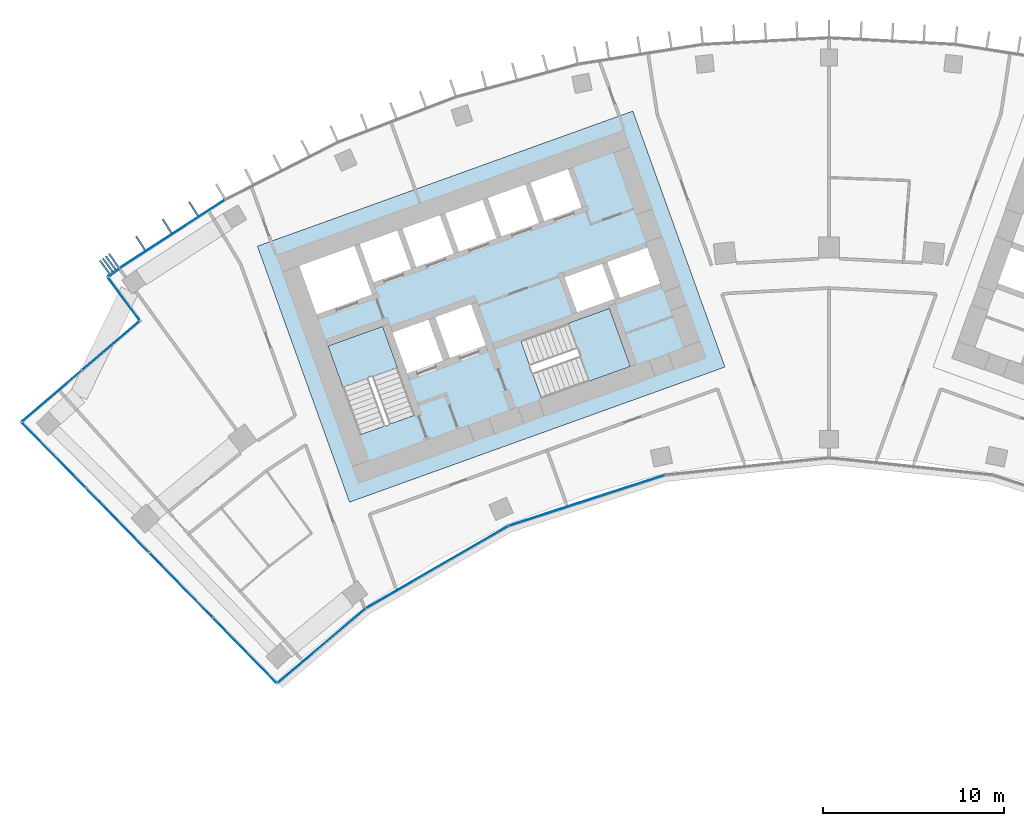
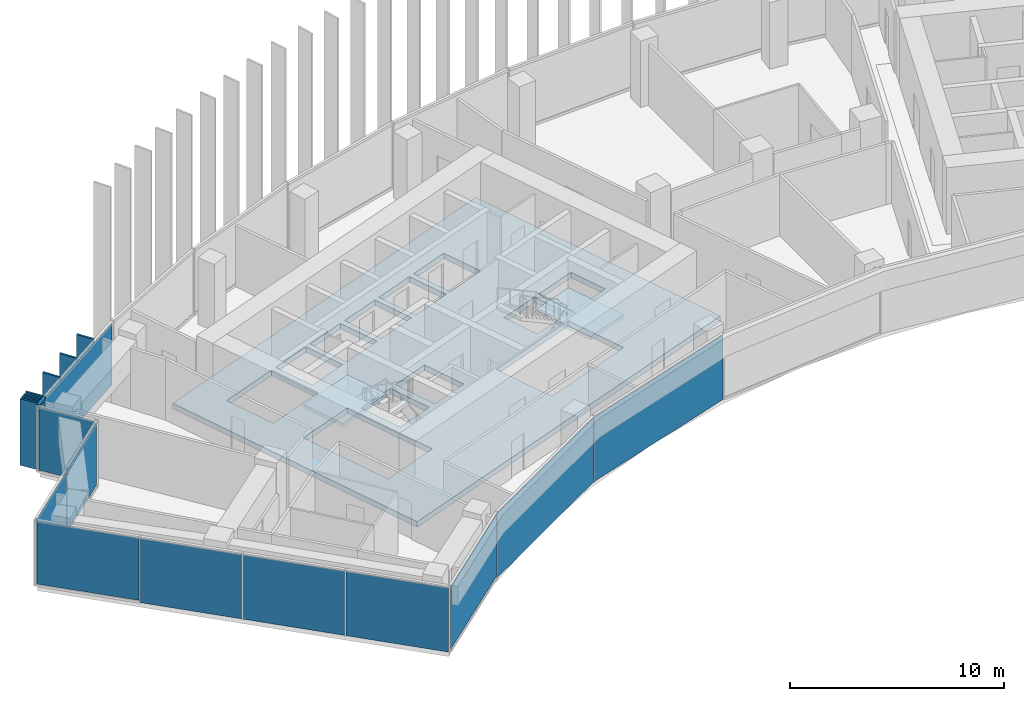
# One storey, part 11 of 19: 19 plates, 3 slabs, 2 members, 7 elements without a shape of their own.
"""IFC4 building model written with IfcOpenShell, lengths in metres."""

import ifcopenshell
import ifcopenshell.guid

model = None  # the IFC model being written
_history = None  # IfcOwnerHistory: only IFC2X3 demands one
_inside = {}  # id of a spatial element -> (the spatial element, [elements in it])
_under = {}  # id of a project, library or spatial element -> (it, [spatial elements below it])
_declared = {}  # id of a project -> (the project, [libraries it declares])
_typed = {}  # id of a type object -> (the type object, [elements of that type])
_made_of = {}  # id of a material, layer set ... -> (it, [elements and type objects made of it])


def new_model(schema):
    """Start an empty IFC model of exactly this schema.

    Asked for "IFC4X3", IfcOpenShell would pick the latest addendum, in which some entities
    have other attributes; the version numbers below select the first issue.
    IFC2X3 requires an IfcOwnerHistory on every rooted entity: one is made here for all.
    """
    global model, _history
    if schema == "IFC4X3":
        model = ifcopenshell.file(schema_version=(4, 3, 0, 0))
    else:
        model = ifcopenshell.file(schema=schema)
    _inside.clear()
    _under.clear()
    _declared.clear()
    _typed.clear()
    _made_of.clear()
    _history = None
    if model.schema == "IFC2X3":
        org = make("IfcOrganization", Name="unknown")
        user = make(
            "IfcPersonAndOrganization",
            ThePerson=make("IfcPerson", FamilyName="unknown"),
            TheOrganization=org,
        )
        app = make(
            "IfcApplication",
            ApplicationDeveloper=org,
            Version="unknown",
            ApplicationFullName="unknown",
            ApplicationIdentifier="unknown",
        )
        _history = make(
            "IfcOwnerHistory",
            OwningUser=user,
            OwningApplication=app,
            ChangeAction="ADDED",
            CreationDate=0,
        )
    return model


def make(cls, **values):
    """One entity of the class cls with the attributes given. An attribute that is None is left unset."""
    return model.create_entity(
        cls, **{name: value for name, value in values.items() if value is not None}
    )


def rooted(cls, **values):
    """An entity with a GlobalId (a new one), such as an element, a storey or a relation."""
    return make(cls, GlobalId=ifcopenshell.guid.new(), OwnerHistory=_history, **values)


def si_unit(unit_type, name, prefix=None):
    """IfcSIUnit, for example si_unit("LENGTHUNIT", "METRE", prefix="MILLI")."""
    return make("IfcSIUnit", UnitType=unit_type, Prefix=prefix, Name=name)


def assignment(units):
    """IfcUnitAssignment: the units of a project."""
    return None if units is None else make("IfcUnitAssignment", Units=units)


def point(xyz):
    """IfcCartesianPoint."""
    return None if xyz is None else make("IfcCartesianPoint", Coordinates=xyz)


def direction(xyz):
    """IfcDirection."""
    return None if xyz is None else make("IfcDirection", DirectionRatios=xyz)


def frame(location, z_axis=None, x_axis=None):
    """IfcAxis2Placement3D, a coordinate frame: its origin and axes. An axis left out is left unset."""
    return make(
        "IfcAxis2Placement3D",
        Location=point(location),
        Axis=direction(z_axis),
        RefDirection=direction(x_axis),
    )


def frame_2d(location, x_axis=None):
    """IfcAxis2Placement2D, a coordinate frame in the plane: its origin and x axis."""
    return make(
        "IfcAxis2Placement2D", Location=point(location), RefDirection=direction(x_axis)
    )


def origin():
    """The frame at (0, 0, 0) with its axes left unset."""
    return frame((0.0, 0.0, 0.0))


def origin_2d():
    """The frame at (0, 0) in the plane with its x axis left unset."""
    return frame_2d((0.0, 0.0))


def place(relative_to, where):
    """IfcLocalPlacement: puts the frame where relative to a parent placement (None: the world)."""
    return make(
        "IfcLocalPlacement", PlacementRelTo=relative_to, RelativePlacement=where
    )


def context(
    kind, dimensions, precision=None, world=None, true_north=None, identifier=None
):
    """IfcGeometricRepresentationContext, for example the 3D "Model" context."""
    return make(
        "IfcGeometricRepresentationContext",
        ContextIdentifier=identifier,
        ContextType=kind,
        CoordinateSpaceDimension=dimensions,
        Precision=precision,
        WorldCoordinateSystem=world,
        TrueNorth=true_north,
    )


def subcontext(parent, identifier, kind, view, scale=None):
    """IfcGeometricRepresentationSubContext, for example "Body" below "Model"."""
    return make(
        "IfcGeometricRepresentationSubContext",
        ContextIdentifier=identifier,
        ContextType=kind,
        ParentContext=parent,
        TargetScale=scale,
        TargetView=view,
    )


def project(units=None, contexts=None):
    """IfcProject with its units and contexts."""
    return rooted(
        "IfcProject",
        Name="project",
        RepresentationContexts=contexts,
        UnitsInContext=assignment(units),
    )


def spatial(cls, under=None, at=None, **own):
    """A site, building, storey or space (cls), placed at a placement, below another one or the project."""
    s = rooted(cls, ObjectPlacement=at, **own)
    if under is not None:
        _under.setdefault(under.id(), (under, []))[1].append(s)
    return s


def polyline(points):
    """IfcPolyline through the points."""
    return make("IfcPolyline", Points=[point(p) for p in points])


def profile(cls, at=None, kind="AREA", **sizes):
    """A parametric profile (cls). Its sizes go by their IFC names, for example OverallWidth=200.0."""
    return make(cls, ProfileType=kind, Position=at, **sizes)


def rectangle(**sizes):
    """IfcRectangleProfileDef."""
    return profile("IfcRectangleProfileDef", **sizes)


def outline(outer, holes=None, kind="AREA"):
    """IfcArbitraryClosedProfileDef: a profile drawn as a closed curve; with holes, ...WithVoids."""
    if holes is None:
        return make("IfcArbitraryClosedProfileDef", ProfileType=kind, OuterCurve=outer)
    return make(
        "IfcArbitraryProfileDefWithVoids",
        ProfileType=kind,
        OuterCurve=outer,
        InnerCurves=holes,
    )


def extrude(swept, where, along, depth):
    """IfcExtrudedAreaSolid: the profile swept, set in the frame where, extruded along a direction by depth."""
    return make(
        "IfcExtrudedAreaSolid",
        SweptArea=swept,
        Position=where,
        ExtrudedDirection=direction(along),
        Depth=depth,
    )


def shape(context_of_items, identifier, shape_type, items):
    """IfcShapeRepresentation: the items that make up one representation, for example the "Body"."""
    return make(
        "IfcShapeRepresentation",
        ContextOfItems=context_of_items,
        RepresentationIdentifier=identifier,
        RepresentationType=shape_type,
        Items=items,
    )


def material(Name=None, Category=None):
    """IfcMaterial."""
    return make("IfcMaterial", Name=Name, Category=Category)


def layer(
    of_material, thickness, ventilated=None, Name=None, Category=None, Priority=None
):
    """IfcMaterialLayer: one layer of a wall or slab, of a material (None: an air gap)."""
    return make(
        "IfcMaterialLayer",
        Material=of_material,
        LayerThickness=thickness,
        IsVentilated=ventilated,
        Name=Name,
        Category=Category,
        Priority=Priority,
    )


def layer_set(layers, Name=None):
    """IfcMaterialLayerSet."""
    return make("IfcMaterialLayerSet", MaterialLayers=layers, LayerSetName=Name)


def material_profile(
    of_material, cross_section, Name=None, Category=None, Priority=None
):
    """IfcMaterialProfile: a cross section and its material."""
    return make(
        "IfcMaterialProfile",
        Name=Name,
        Material=of_material,
        Profile=cross_section,
        Priority=Priority,
        Category=Category,
    )


def profile_set(profiles, Name=None, composite=None):
    """IfcMaterialProfileSet."""
    return make(
        "IfcMaterialProfileSet",
        Name=Name,
        MaterialProfiles=profiles,
        CompositeProfile=composite,
    )


def made_of(thing, what):
    """Note that an element or type object is made of a material, layer set ...; save() writes the relation."""
    if what is not None:
        _made_of.setdefault(what.id(), (what, []))[1].append(thing)
    return thing


def type_object(cls, material=None, **own):
    """A type object (cls), such as IfcWallType, which elements share."""
    return made_of(rooted(cls, **own), material)


def element(
    cls,
    number,
    at=None,
    inside=None,
    cuts=None,
    type_object=None,
    material=None,
    context=None,
    identifier="Body",
    shape_type=None,
    held_by="IfcProductDefinitionShape",
    body=None,
    shapes=None,
    **own,
):
    """One element of the class cls, such as IfcWall. Its Tag is "e" and its number.

    at: its placement. inside: the storey or other place that contains it. cuts: it is an
    opening in that element (IfcRelVoidsElement). A single representation is given by context,
    identifier, shape_type and body (its items); several are given by shapes. held_by: the class
    of the entity that holds the representations. save() writes the other relations.
    """
    e = rooted(cls, Tag="e%d" % number, ObjectPlacement=at, **own)
    if body is not None:
        shapes = [shape(context, identifier, shape_type, body)]
    if shapes is not None:
        e.Representation = make(held_by, Representations=shapes)
    if inside is not None:
        _inside.setdefault(inside.id(), (inside, []))[1].append(e)
    if cuts is not None:
        rooted(
            "IfcRelVoidsElement", RelatingBuildingElement=cuts, RelatedOpeningElement=e
        )
    if type_object is not None:
        _typed.setdefault(type_object.id(), (type_object, []))[1].append(e)
    return made_of(e, material)


def aggregate(whole, parts):
    """IfcRelAggregates: a whole, such as a stair, and the parts it consists of."""
    return rooted("IfcRelAggregates", RelatingObject=whole, RelatedObjects=parts)


def save(model, path):
    """Write the relations noted so far, then the file.

    IfcRelAggregates (storeys below a building ...), IfcRelContainedInSpatialStructure (elements
    in a storey), IfcRelDefinesByType, IfcRelAssociatesMaterial and IfcRelDeclares: one each for
    every whole, place, type object, material and project.
    """
    for whole, parts in _under.values():
        aggregate(whole, parts)
    for where, things in _inside.values():
        rooted(
            "IfcRelContainedInSpatialStructure",
            RelatedElements=things,
            RelatingStructure=where,
        )
    for kind, things in _typed.values():
        rooted("IfcRelDefinesByType", RelatedObjects=things, RelatingType=kind)
    for what, things in _made_of.values():
        rooted("IfcRelAssociatesMaterial", RelatedObjects=things, RelatingMaterial=what)
    for by, libraries in _declared.values():
        rooted("IfcRelDeclares", RelatingContext=by, RelatedDefinitions=libraries)
    model.write(path)


model = new_model("IFC4")

# Units and contexts
model_context = context("Model", 3, precision=1e-05, world=origin(), true_north=direction((0.0, 1.0)))
body_context = subcontext(model_context, "Body", "Model", "MODEL_VIEW")
ifc_project = project(units=[si_unit("LENGTHUNIT", "METRE"), si_unit("AREAUNIT", "SQUARE_METRE"), si_unit("VOLUMEUNIT", "CUBIC_METRE"), si_unit("PLANEANGLEUNIT", "RADIAN"), si_unit("MASSUNIT", "GRAM", prefix="KILO")], contexts=[model_context])

# Site, building, storey
site_placement = place(None, origin())
site = spatial("IfcSite", under=ifc_project, at=site_placement, CompositionType="ELEMENT")
building_placement = place(site_placement, origin())
building = spatial("IfcBuilding", under=site, at=building_placement, Name="Stone Belt Terrace Tower", CompositionType="ELEMENT")
storey_placement = place(building_placement, frame((0.0, 0.0, 223.800048828125)))
storey = spatial("IfcBuildingStorey", under=building, at=storey_placement, Name="L54", CompositionType="ELEMENT", Elevation=223.800048828125)

# Curtain wall, members, plates
ifc_material_1 = material(Name="Aluminium 6063-T6 anodised frame", Category="aluminium")
ifc_layer_1 = layer(ifc_material_1, 0.14990234375)
ifc_layer_set_1 = layer_set([ifc_layer_1], Name="CW-A unitised convex-face curtain wall")
curtain_wall_type_1 = type_object("IfcCurtainWallType", Name="CW-A unitised convex-face curtain wall", PredefinedType="NOTDEFINED", material=ifc_layer_set_1)
curtain_wall_1_placement = place(storey_placement, origin())
curtain_wall_1 = element("IfcCurtainWall", 1, at=curtain_wall_1_placement, inside=storey, type_object=curtain_wall_type_1, Name="CW-A convex face L54", PredefinedType="NOTDEFINED")
ifc_material_profile = material_profile(ifc_material_1, rectangle(XDim=0.14990234375, YDim=0.139892578125, at=origin_2d()), Name="Aluminium 6063-T6 150x140")
ifc_profile_set = profile_set([ifc_material_profile], Name="Aluminium 6063-T6 anodised frame")
member_type = type_object("IfcMemberType", Name="CW-A transom 140 x 150", PredefinedType="USERDEFINED", material=ifc_profile_set)
member_1_placement = place(storey_placement, frame((-39.15625, 53.84228515625, 0.070068359375), z_axis=(-0.805902328942, -0.592048508321, 0.0), x_axis=(0.592048508321, -0.805902328942, 0.0)))
member_1 = element("IfcMember", 2, at=member_1_placement, type_object=member_type, Name="CW-A transom 15.1", ObjectType="TRANSOM", PredefinedType="USERDEFINED", context=body_context, shape_type="SweptSolid", body=[
    extrude(rectangle(XDim=0.14990234375, YDim=0.139892578125, at=origin_2d()), origin(), (0.0, 0.0, 1.0), 0.6953125),
])
member_2_placement = place(storey_placement, frame((-39.15625, 53.84228515625, 3.72998046875), z_axis=(-0.805902328942, -0.592048508321, 0.0), x_axis=(0.592048508321, -0.805902328942, 0.0)))
member_2 = element("IfcMember", 3, at=member_2_placement, type_object=member_type, Name="CW-A transom 15.2", ObjectType="TRANSOM", PredefinedType="USERDEFINED", context=body_context, shape_type="SweptSolid", body=[
    extrude(rectangle(XDim=0.14990234375, YDim=0.139892578125, at=origin_2d()), origin(), (0.0, 0.0, 1.0), 0.6953125),
])
ifc_material_2 = material(Name="Clear double glazed unit")
ifc_layer_2 = layer(ifc_material_2, 0.031982421875)
ifc_layer_set_2 = layer_set([ifc_layer_2], Name="CW-A glass panel 32")
plate_type_1 = type_object("IfcPlateType", Name="CW-A glass panel 32", PredefinedType="CURTAIN_PANEL", material=ifc_layer_set_2)
plate_1_placement = place(storey_placement, frame((-36.209716796875, 55.758056640625, 0.139892578125), z_axis=(0.0, 0.0, 1.0), x_axis=(-0.838670567945, -0.544639035015, 0.0)))
plate_1 = element("IfcPlate", 4, at=plate_1_placement, type_object=plate_type_1, Name="CW-A panel 14.1", PredefinedType="CURTAIN_PANEL", context=body_context, shape_type="SweptSolid", body=[
    extrude(rectangle(XDim=6.900634765625, YDim=0.031982421875, at=origin_2d()), origin(), (0.0, 0.0, 1.0), 3.52001953125),
])
plate_2_placement = place(storey_placement, frame((-39.436279296875, 53.636474609375, 0.139892578125), z_axis=(0.0, 0.0, 1.0), x_axis=(-0.805804947695, -0.592181041802, 0.0)))
plate_2 = element("IfcPlate", 5, at=plate_2_placement, type_object=plate_type_1, Name="CW-A panel 15.1", PredefinedType="CURTAIN_PANEL", context=body_context, shape_type="SweptSolid", body=[
    extrude(rectangle(XDim=0.695068359375, YDim=0.031982421875, at=origin_2d()), origin(), (0.0, 0.0, 1.0), 3.52001953125),
])
aggregate(curtain_wall_1, [plate_1, member_1, member_2, plate_2])

# Curtain wall, plates
ifc_layer_3 = layer(ifc_material_1, 0.14990234375)
ifc_layer_set_3 = layer_set([ifc_layer_3], Name="CW-B unitised concave-face curtain wall")
curtain_wall_type_2 = type_object("IfcCurtainWallType", Name="CW-B unitised concave-face curtain wall", PredefinedType="NOTDEFINED", material=ifc_layer_set_3)
curtain_wall_2_placement = place(storey_placement, origin())
curtain_wall_2 = element("IfcCurtainWall", 6, at=curtain_wall_2_placement, inside=storey, type_object=curtain_wall_type_2, Name="CW-B concave face L54", PredefinedType="NOTDEFINED")
ifc_layer_4 = layer(ifc_material_2, 0.030029296875)
ifc_layer_set_4 = layer_set([ifc_layer_4], Name="CW-B glass panel 30")
plate_type_2 = type_object("IfcPlateType", Name="CW-B glass panel 30", PredefinedType="CURTAIN_PANEL", material=ifc_layer_set_4)
plate_3_placement = place(storey_placement, frame((-27.96240234375, 33.072021484375, 0.119873046875), z_axis=(0.0, 0.0, 1.0), x_axis=(0.763918888428, 0.645312274719, 0.0)))
plate_3 = element("IfcPlate", 7, at=plate_3_placement, type_object=plate_type_2, Name="CW-B panel 1.1", PredefinedType="CURTAIN_PANEL", context=body_context, shape_type="SweptSolid", body=[
    extrude(rectangle(XDim=6.3173828125, YDim=0.030029296875, at=origin_2d()), origin(), (0.0, 0.0, 1.0), 3.56005859375),
])
plate_4_placement = place(storey_placement, frame((-21.594482421875, 37.400146484375, 0.0), z_axis=(0.0, 0.0, 1.0), x_axis=(0.866025403784, 0.5, 0.0)))
plate_4 = element("IfcPlate", 8, at=plate_4_placement, type_object=plate_type_2, Name="CW-B panel 2.1", PredefinedType="CURTAIN_PANEL", context=body_context, shape_type="SweptSolid", body=[
    extrude(rectangle(XDim=9.01513671875, YDim=0.030029296875, at=origin_2d()), origin(), (0.0, 0.0, 1.0), 3.679931640625),
])
plate_5_placement = place(storey_placement, frame((-13.345458984375, 41.072998046875, 0.0), z_axis=(0.0, 0.0, 1.0), x_axis=(0.951056516295, 0.309016994375, 0.0)))
plate_5 = element("IfcPlate", 9, at=plate_5_placement, type_object=plate_type_2, Name="CW-B panel 3.1", PredefinedType="CURTAIN_PANEL", context=body_context, shape_type="SweptSolid", body=[
    extrude(rectangle(XDim=9.0126953125, YDim=0.030029296875, at=origin_2d()), origin(), (0.0, 0.0, 1.0), 3.679931640625),
])
aggregate(curtain_wall_2, [plate_3, plate_4, plate_5])

# Curtain wall, plate
ifc_layer_5 = layer(ifc_material_1, 0.14990234375)
ifc_layer_set_5 = layer_set([ifc_layer_5], Name="CW-C stick curtain wall, horn ends and notches")
curtain_wall_type_3 = type_object("IfcCurtainWallType", Name="CW-C stick curtain wall, horn ends and notches", PredefinedType="NOTDEFINED", material=ifc_layer_set_5)
curtain_wall_3_placement = place(storey_placement, origin())
curtain_wall_3 = element("IfcCurtainWall", 10, at=curtain_wall_3_placement, inside=storey, type_object=curtain_wall_type_3, Name="CW-C notch face L54", PredefinedType="NOTDEFINED")
ifc_layer_6 = layer(ifc_material_2, 0.028076171875)
ifc_layer_set_6 = layer_set([ifc_layer_6], Name="CW-C glass panel 28")
plate_type_3 = type_object("IfcPlateType", Name="CW-C glass panel 28", PredefinedType="CURTAIN_PANEL", material=ifc_layer_set_6)
plate_6_placement = place(storey_placement, frame((-38.879638671875, 52.18017578125, 0.119873046875), z_axis=(0.0, 0.0, 1.0), x_axis=(0.596559278942, -0.802569016788, 0.0)))
plate_6 = element("IfcPlate", 11, at=plate_6_placement, type_object=plate_type_3, Name="CW-C panel 1.1", PredefinedType="CURTAIN_PANEL", context=body_context, shape_type="SweptSolid", body=[
    extrude(rectangle(XDim=2.85791015625, YDim=0.028076171875, at=origin_2d()), origin(), (0.0, 0.0, 1.0), 3.56005859375),
])
aggregate(curtain_wall_3, [plate_6])

# Curtain wall, plates
curtain_wall_4_placement = place(storey_placement, origin())
curtain_wall_4 = element("IfcCurtainWall", 12, at=curtain_wall_4_placement, inside=storey, type_object=curtain_wall_type_3, Name="CW-C notch face L54", PredefinedType="NOTDEFINED")
plate_7_placement = place(storey_placement, frame((-39.605712890625, 49.589111328125, 0.119873046875), z_axis=(0.0, 0.0, 1.0), x_axis=(-0.760394317919, -0.649461685764, 0.0)))
plate_7 = element("IfcPlate", 13, at=plate_7_placement, type_object=plate_type_3, Name="CW-C panel 1.1", PredefinedType="CURTAIN_PANEL", context=body_context, shape_type="SweptSolid", body=[
    extrude(rectangle(XDim=4.12060546875, YDim=0.028076171875, at=origin_2d()), origin(), (0.0, 0.0, 1.0), 3.56005859375),
])
plate_8_placement = place(storey_placement, frame((-42.8408203125, 46.825927734375, 0.0), z_axis=(0.0, 0.0, 1.0), x_axis=(-0.760394317919, -0.649461685764, 0.0)))
plate_8 = element("IfcPlate", 14, at=plate_8_placement, type_object=plate_type_3, Name="CW-C panel 2.1", PredefinedType="CURTAIN_PANEL", context=body_context, shape_type="SweptSolid", body=[
    extrude(rectangle(XDim=4.268798828125, YDim=0.028076171875, at=origin_2d()), origin(), (0.0, 0.0, 1.0), 3.679931640625),
])
aggregate(curtain_wall_4, [plate_7, plate_8])

curtain_wall_5_placement = place(storey_placement, origin())
curtain_wall_5 = element("IfcCurtainWall", 15, at=curtain_wall_5_placement, inside=storey, type_object=curtain_wall_type_3, Name="CW-C end face L54", PredefinedType="NOTDEFINED")
plate_9_placement = place(storey_placement, frame((-42.728759765625, 43.55908203125, 0.119873046875), z_axis=(0.0, 0.0, 1.0), x_axis=(0.699391266233, -0.714739013009, 0.0)))
plate_9 = element("IfcPlate", 16, at=plate_9_placement, type_object=plate_type_3, Name="CW-C panel 1.1", PredefinedType="CURTAIN_PANEL", context=body_context, shape_type="SweptSolid", body=[
    extrude(rectangle(XDim=4.974853515625, YDim=0.028076171875, at=origin_2d()), origin(), (0.0, 0.0, 1.0), 3.56005859375),
])
plate_10_placement = place(storey_placement, frame((-39.219482421875, 39.972900390625, 0.0), z_axis=(0.0, 0.0, 1.0), x_axis=(0.699391266233, -0.714739013009, 0.0)))
plate_10 = element("IfcPlate", 17, at=plate_10_placement, type_object=plate_type_3, Name="CW-C panel 2.1", PredefinedType="CURTAIN_PANEL", context=body_context, shape_type="SweptSolid", body=[
    extrude(rectangle(XDim=4.93994140625, YDim=0.028076171875, at=origin_2d()), origin(), (0.0, 0.0, 1.0), 3.679931640625),
])
plate_11_placement = place(storey_placement, frame((-35.72265625, 36.399169921875, 0.0), z_axis=(0.0, 0.0, 1.0), x_axis=(0.699391266233, -0.714739013009, 0.0)))
plate_11 = element("IfcPlate", 18, at=plate_11_placement, type_object=plate_type_3, Name="CW-C panel 3.1", PredefinedType="CURTAIN_PANEL", context=body_context, shape_type="SweptSolid", body=[
    extrude(rectangle(XDim=4.93994140625, YDim=0.028076171875, at=origin_2d()), origin(), (0.0, 0.0, 1.0), 3.679931640625),
])
plate_12_placement = place(storey_placement, frame((-32.21630859375, 32.81591796875, 0.0), z_axis=(0.0, 0.0, 1.0), x_axis=(0.699391266233, -0.714739013009, 0.0)))
plate_12 = element("IfcPlate", 19, at=plate_12_placement, type_object=plate_type_3, Name="CW-C panel 4.1", PredefinedType="CURTAIN_PANEL", context=body_context, shape_type="SweptSolid", body=[
    extrude(rectangle(XDim=4.966552734375, YDim=0.028076171875, at=origin_2d()), origin(), (0.0, 0.0, 1.0), 3.679931640625),
])
aggregate(curtain_wall_5, [plate_9, plate_10, plate_11, plate_12])

# Slab
ifc_material_3 = material(Name="Concrete B40", Category="concrete")
ifc_layer_7 = layer(ifc_material_3, 0.320068359375)
ifc_layer_set_7 = layer_set([ifc_layer_7], Name="Core floor slab 320")
slab_type_1 = type_object("IfcSlabType", Name="Core floor slab 320", PredefinedType="FLOOR", material=ifc_layer_set_7)
slab_1_placement = place(storey_placement, frame((0.0, 0.0, -0.320068359375)))
element("IfcSlab", 20, at=slab_1_placement, inside=storey, type_object=slab_type_1, Name="Core A floor L54", PredefinedType="FLOOR", context=body_context, shape_type="SweptSolid", body=[
    extrude(outline(polyline([(-26.43505859375, 40.968994140625), (-5.735107421875, 48.4189453125), (-10.81396484375, 62.531982421875), (-31.513916015625, 55.0830078125), (-26.43505859375, 40.968994140625)]), holes=[polyline([(-24.60791015625, 50.659912109375), (-22.847900390625, 45.76806640625), (-25.85888671875, 44.68408203125), (-27.618896484375, 49.575927734375), (-24.60791015625, 50.659912109375)]), polyline([(-23.25, 48.06689453125), (-24.06298828125, 50.324951171875), (-22.0869140625, 51.035888671875), (-21.27392578125, 48.778076171875), (-23.25, 48.06689453125)]), polyline([(-20.89794921875, 48.9130859375), (-21.7109375, 51.1708984375), (-19.735107421875, 51.883056640625), (-18.922119140625, 49.6240234375), (-20.89794921875, 48.9130859375)]), polyline([(-28.24609375, 51.31689453125), (-29.2109375, 53.9990234375), (-26.153076171875, 55.09912109375), (-25.18798828125, 52.41796875), (-28.24609375, 51.31689453125)]), polyline([(-23.801025390625, 55.946044921875), (-23.0390625, 53.8291015625), (-25.10888671875, 53.083984375), (-25.87109375, 55.200927734375), (-23.801025390625, 55.946044921875)]), polyline([(-21.447998046875, 56.7919921875), (-20.68603515625, 54.675048828125), (-22.756103515625, 53.929931640625), (-23.51806640625, 56.047119140625), (-21.447998046875, 56.7919921875)]), polyline([(-10.955078125, 48.452880859375), (-15.846923828125, 46.69189453125), (-16.998046875, 49.89208984375), (-12.10595703125, 51.652099609375), (-10.955078125, 48.452880859375)]), polyline([(-11.847900390625, 52.116943359375), (-11.864990234375, 52.1640625), (-13.887939453125, 51.43603515625), (-14.58203125, 53.364990234375), (-12.511962890625, 54.110107421875), (-11.801025390625, 52.134033203125), (-11.847900390625, 52.116943359375)]), polyline([(-9.30810546875, 53.031005859375), (-11.51904296875, 52.235107421875), (-12.22998046875, 54.2109375), (-10.01904296875, 55.007080078125), (-9.30810546875, 53.031005859375)]), polyline([(-21.166015625, 56.89404296875), (-19.095947265625, 57.638916015625), (-18.333984375, 55.52197265625), (-20.404052734375, 54.777099609375), (-21.166015625, 56.89404296875)]), polyline([(-16.743896484375, 58.485107421875), (-15.98193359375, 56.367919921875), (-18.052001953125, 55.623046875), (-18.81396484375, 57.739990234375), (-16.743896484375, 58.485107421875)]), polyline([(-14.39111328125, 59.33203125), (-13.6298828125, 57.215087890625), (-15.699951171875, 56.469970703125), (-16.4609375, 58.5869140625), (-14.39111328125, 59.33203125)])]), origin(), (0.0, 0.0, 1.0), 0.320068359375),
])

# Stair, slab
stair_type = type_object("IfcStairType", Name="Exit stair 1500", PredefinedType="HALF_TURN_STAIR", material=ifc_material_3)
stair_1_placement = place(storey_placement, origin())
stair_1 = element("IfcStair", 21, at=stair_1_placement, inside=storey, type_object=stair_type, Name="L54 Exit stair 1 core A", PredefinedType="HALF_TURN_STAIR")
ifc_layer_8 = layer(ifc_material_3, 0.199951171875)
ifc_layer_set_8 = layer_set([ifc_layer_8], Name="Stair landing 200")
slab_type_2 = type_object("IfcSlabType", Name="Stair landing 200", PredefinedType="LANDING", material=ifc_layer_set_8)
slab_2_placement = place(storey_placement, frame((0.0, 0.0, 1.699951171875)))
slab_2 = element("IfcSlab", 22, at=slab_2_placement, type_object=slab_type_2, Name="ST1A landing 1", PredefinedType="LANDING", context=body_context, shape_type="SweptSolid", body=[
    extrude(outline(polyline([(-23.79541015625, 48.40087890625), (-24.6083984375, 50.659912109375), (-27.619384765625, 49.576171875), (-26.806396484375, 47.3173828125), (-23.79541015625, 48.40087890625)])), origin(), (0.0, 0.0, 1.0), 0.199951171875),
])
aggregate(stair_1, [slab_2])

stair_2_placement = place(storey_placement, origin())
stair_2 = element("IfcStair", 23, at=stair_2_placement, inside=storey, type_object=stair_type, Name="L54 Exit stair 2 core A", PredefinedType="HALF_TURN_STAIR")
slab_3_placement = place(storey_placement, frame((0.0, 0.0, 1.699951171875)))
slab_3 = element("IfcSlab", 24, at=slab_3_placement, type_object=slab_type_2, Name="ST2A landing 1", PredefinedType="LANDING", context=body_context, shape_type="SweptSolid", body=[
    extrude(outline(polyline([(-13.213623046875, 47.64013671875), (-10.95458984375, 48.453125), (-12.10595703125, 51.652099609375), (-14.36474609375, 50.839111328125), (-13.213623046875, 47.64013671875)])), origin(), (0.0, 0.0, 1.0), 0.199951171875),
])
aggregate(stair_2, [slab_3])

# Plates
ifc_material_4 = material(Name="Terracotta coloured glazed ceramic", Category="masonry")
ifc_layer_9 = layer(ifc_material_4, 0.10009765625)
ifc_layer_set_9 = layer_set([ifc_layer_9], Name="Terracotta fin 100 x 900")
plate_type_4 = type_object("IfcPlateType", Name="Terracotta fin 100 x 900", PredefinedType="SHEET", material=ifc_layer_set_9)
for number, where, z_axis, x_axis, name in (
    (25, (-35.0341796875, 57.1474609375, 0.0), (0.0, 0.0, 1.0), (-0.544639035015, 0.838670567945, 0.0), "FIN L54 14.2"),
    (26, (-36.494873046875, 56.19873046875, 0.0), (0.0, 0.0, 1.0), (-0.544639035015, 0.838670567945, 0.0), "FIN L54 14.3"),
    (27, (-37.95556640625, 55.250244140625, 0.0), (0.0, 0.0, 1.0), (-0.544639035015, 0.838670567945, 0.0), "FIN L54 14.4"),
    (28, (-39.428955078125, 54.293212890625, 0.0), (0.0, 0.0, 1.0), (-0.568647526171, 0.82258129749, 0.0), "FIN L54 15.1"),
    (29, (-39.602783203125, 54.165771484375, 0.0), (0.0, 0.0, 1.0), (-0.592181041802, 0.805804947695, 0.0), "FIN L54 15.2"),
    (30, (-39.76416015625, 54.047119140625, 0.0), (0.0, 0.0, 1.0), (-0.592181041802, 0.805804947695, 0.0), "FIN L54 15.3"),
    (31, (-39.92578125, 53.928466796875, 0.0), (0.0, 0.0, 1.0), (-0.592181041802, 0.805804947695, 0.0), "FIN L54 15.4"),
):
    element("IfcPlate", number, at=place(storey_placement, frame(where, z_axis=z_axis, x_axis=x_axis)), inside=storey, type_object=plate_type_4, Name=name, PredefinedType="SHEET", context=body_context, shape_type="SweptSolid", body=[
        extrude(rectangle(XDim=0.89990234375, YDim=0.10009765625, at=origin_2d()), origin(), (0.0, 0.0, 1.0), 3.800048828125),
    ])

save(model, "model.ifc")
